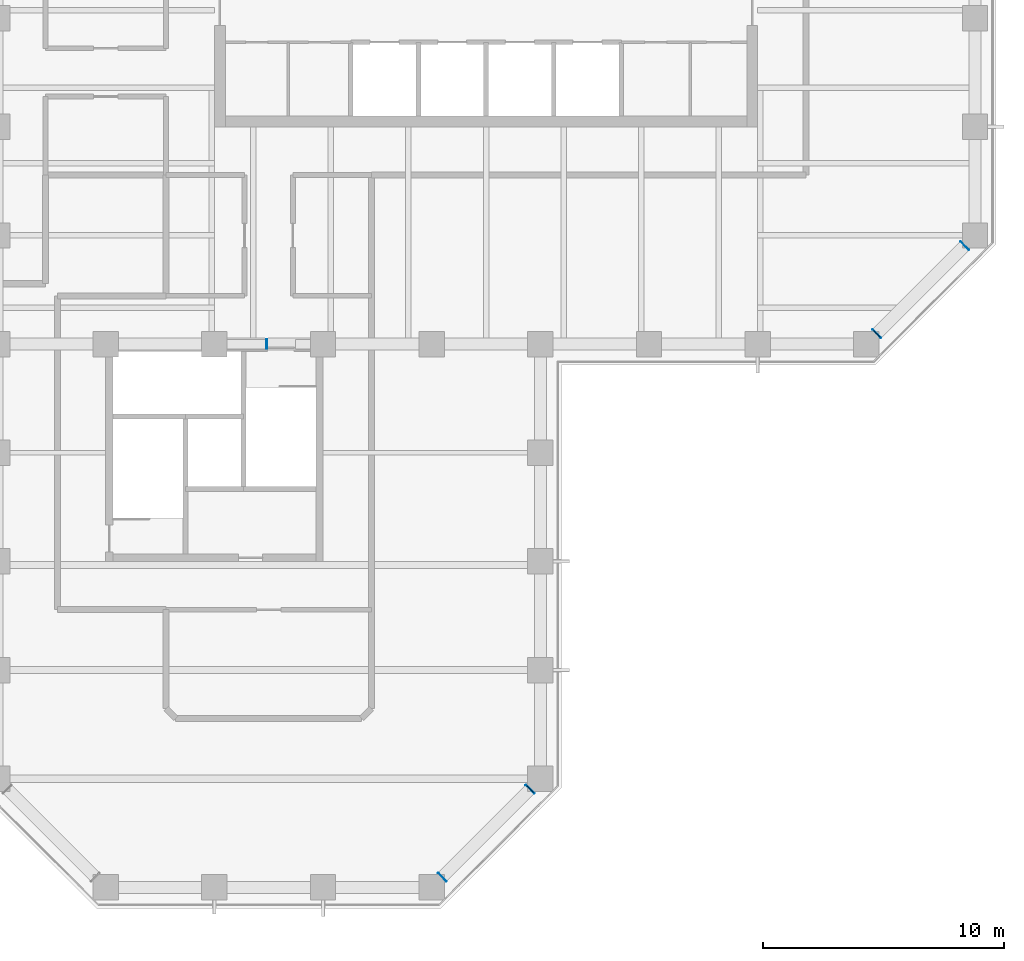
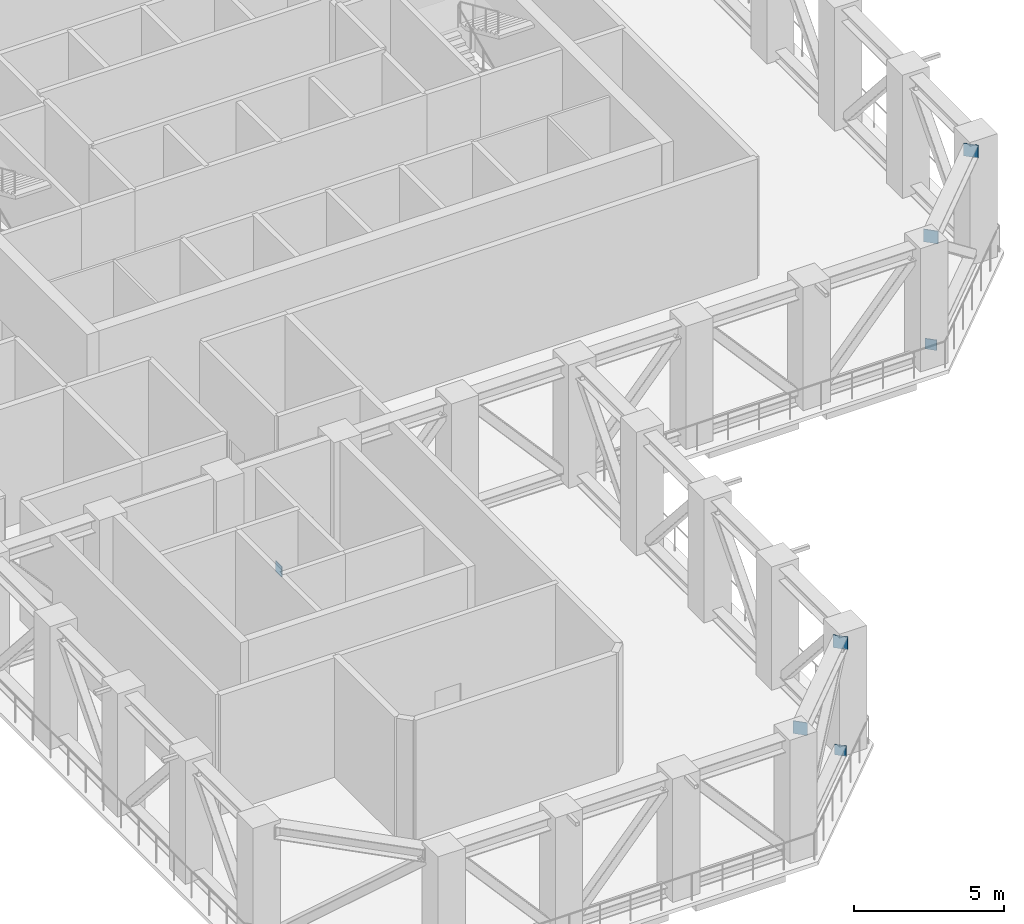
# One storey, part 10 of 14: 7 discrete accessories.
"""IFC4 building model written with IfcOpenShell, lengths in metres."""

from ifc_helpers import new_model, si_unit, direction, frame, origin, origin_2d, place, context, subcontext, project, spatial, rectangle, extrude, material, element, save


model = new_model("IFC4")

# Units and contexts
model_context = context("Model", 3, precision=1e-05, world=origin(), true_north=direction((0.0, 1.0)))
body_context = subcontext(model_context, "Body", "Model", "MODEL_VIEW")
ifc_project = project(units=[si_unit("LENGTHUNIT", "METRE"), si_unit("AREAUNIT", "SQUARE_METRE"), si_unit("VOLUMEUNIT", "CUBIC_METRE"), si_unit("PLANEANGLEUNIT", "RADIAN"), si_unit("MASSUNIT", "GRAM", prefix="KILO")], contexts=[model_context])

# Site, building, storey
site_placement = place(None, origin())
site = spatial("IfcSite", under=ifc_project, at=site_placement, CompositionType="ELEMENT")
building_placement = place(site_placement, origin())
building = spatial("IfcBuilding", under=site, at=building_placement, Name="Quoin Convention Tower", CompositionType="ELEMENT")
storey_placement = place(building_placement, frame((0.0, 0.0, 138.10009765625)))
storey = spatial("IfcBuildingStorey", under=building, at=storey_placement, Name="L36", CompositionType="ELEMENT", Elevation=138.10009765625)

# Discrete accessories
ifc_material = material(Name="Steel Grade 350", Category="steel")
discrete_accessory_1_placement = place(storey_placement, frame((72.429443359375, 40.929443359375, 0.0), z_axis=(0.0, 0.0, 1.0), x_axis=(-0.707106781187, -0.707106781187, 0.0)))
element("IfcDiscreteAccessory", 1, at=discrete_accessory_1_placement, inside=storey, material=ifc_material, Name="TRUSS END PLATE TRS-L36-BC-72000_40500-76500_45000 A", ObjectType="Truss end plate", PredefinedType="USERDEFINED", context=body_context, shape_type="SweptSolid", body=[
    extrude(rectangle(XDim=0.030029296875, YDim=0.39990234375, at=origin_2d()), origin(), (0.0, 0.0, 1.0), 0.422119140625),
])
for number, where, z_axis, x_axis, name in (
    (2, (72.429443359375, 40.929443359375, 4.3359375), (0.0, 0.0, 1.0), (-0.707106781187, -0.707106781187, 0.0), "TRUSS END PLATE TRS-L36-TC-72000_40500-76500_45000 A"),
    (3, (76.070556640625, 44.570556640625, 4.3359375), (0.0, 0.0, 1.0), (0.707106781187, 0.707106781187, 0.0), "TRUSS END PLATE TRS-L36-TC-72000_40500-76500_45000 B"),
):
    element("IfcDiscreteAccessory", number, at=place(storey_placement, frame(where, z_axis=z_axis, x_axis=x_axis)), inside=storey, material=ifc_material, Name=name, ObjectType="Truss end plate", PredefinedType="USERDEFINED", context=body_context, shape_type="SweptSolid", body=[
        extrude(rectangle(XDim=0.030029296875, YDim=0.5, at=origin_2d()), origin(), (0.0, 0.0, 1.0), 0.513916015625),
    ])
discrete_accessory_2_placement = place(storey_placement, frame((58.070556640625, 22.070556640625, 0.0), z_axis=(0.0, 0.0, 1.0), x_axis=(0.707106781187, 0.707106781187, 0.0)))
element("IfcDiscreteAccessory", 4, at=discrete_accessory_2_placement, inside=storey, material=ifc_material, Name="TRUSS END PLATE TRS-L36-BC-54000_18000-58500_22500 B", ObjectType="Truss end plate", PredefinedType="USERDEFINED", context=body_context, shape_type="SweptSolid", body=[
    extrude(rectangle(XDim=0.030029296875, YDim=0.39990234375, at=origin_2d()), origin(), (0.0, 0.0, 1.0), 0.422119140625),
])
for number, where, z_axis, x_axis, name in (
    (5, (54.429443359375, 18.429443359375, 4.3359375), (0.0, 0.0, 1.0), (-0.707106781187, -0.707106781187, 0.0), "TRUSS END PLATE TRS-L36-TC-54000_18000-58500_22500 A"),
    (6, (58.070556640625, 22.070556640625, 4.3359375), (0.0, 0.0, 1.0), (0.707106781187, 0.707106781187, 0.0), "TRUSS END PLATE TRS-L36-TC-54000_18000-58500_22500 B"),
):
    element("IfcDiscreteAccessory", number, at=place(storey_placement, frame(where, z_axis=z_axis, x_axis=x_axis)), inside=storey, material=ifc_material, Name=name, ObjectType="Truss end plate", PredefinedType="USERDEFINED", context=body_context, shape_type="SweptSolid", body=[
        extrude(rectangle(XDim=0.030029296875, YDim=0.5, at=origin_2d()), origin(), (0.0, 0.0, 1.0), 0.513916015625),
    ])
discrete_accessory_3_placement = place(storey_placement, frame((47.1650390625, 40.5, 0.0), z_axis=(0.0, 0.0, 1.0), x_axis=(1.0, 0.0, 0.0)))
element("IfcDiscreteAccessory", 7, at=discrete_accessory_3_placement, inside=storey, material=ifc_material, Name="TRUSS END PLATE TRS-L36-BC-45000_40500-49500_40500-A B", ObjectType="Truss end plate", PredefinedType="USERDEFINED", context=body_context, shape_type="SweptSolid", body=[
    extrude(rectangle(XDim=0.030029296875, YDim=0.39990234375, at=origin_2d()), origin(), (0.0, 0.0, 1.0), 0.422119140625),
])

save(model, "model.ifc")
